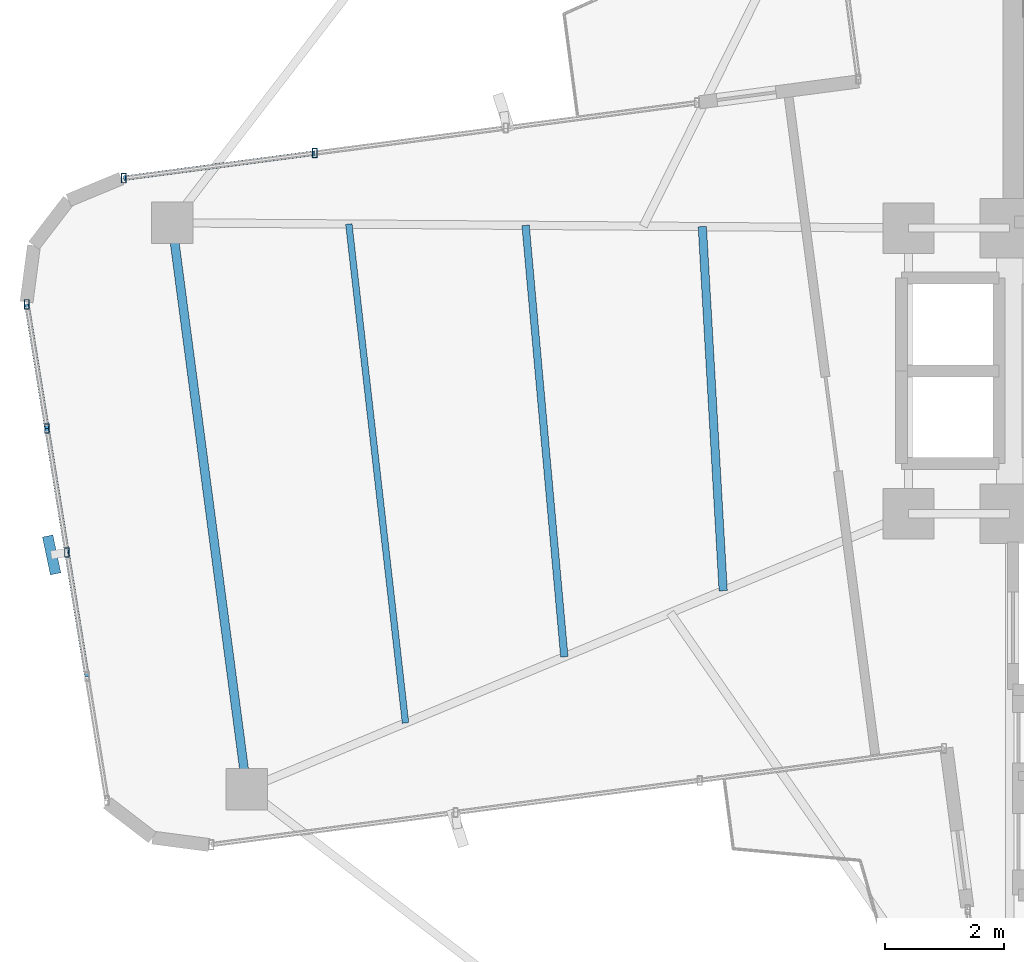
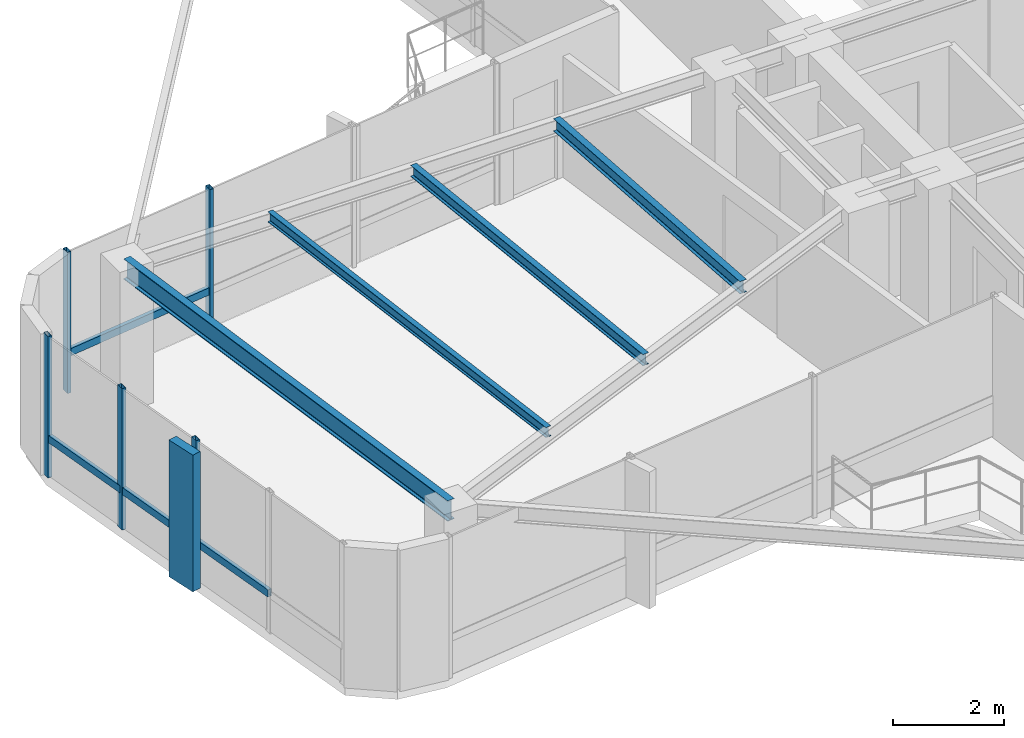
# One storey, part 6 of 21: 10 members, 4 beams, 2 elements without a shape of their own.
"""IFC4 building model written with IfcOpenShell, lengths in metres."""

from ifc_helpers import new_model, si_unit, direction, frame, origin, origin_2d, place, context, subcontext, project, spatial, rectangle, hollow_rectangle, i_section, extrude, source, transform, mapped, material, material_profile, profile_set, type_object, element, aggregate, save


model = new_model("IFC4")

# Units and contexts
model_context = context("Model", 3, precision=1e-05, world=origin(), true_north=direction((0.0, 1.0)))
body_context = subcontext(model_context, "Body", "Model", "MODEL_VIEW")
ifc_project = project(units=[si_unit("LENGTHUNIT", "METRE"), si_unit("AREAUNIT", "SQUARE_METRE"), si_unit("VOLUMEUNIT", "CUBIC_METRE"), si_unit("PLANEANGLEUNIT", "RADIAN"), si_unit("MASSUNIT", "GRAM", prefix="KILO")], contexts=[model_context])

# Site, building, storey
site_placement = place(None, origin())
site = spatial("IfcSite", under=ifc_project, at=site_placement, CompositionType="ELEMENT")
building_placement = place(site_placement, origin())
building = spatial("IfcBuilding", under=site, at=building_placement, Name="Sahyath Konkavel Grand Hotel", CompositionType="ELEMENT")
storey_placement = place(building_placement, frame((0.0, 0.0, 213.199951171875)))
storey = spatial("IfcBuildingStorey", under=building, at=storey_placement, Name="L59", CompositionType="ELEMENT", Elevation=213.199951171875)

# Beams
ifc_material_1 = material(Name="Steel E350", Category="steel")
ifc_material_profile_1 = material_profile(ifc_material_1, i_section(OverallWidth=0.14990234375, OverallDepth=0.449951171875, WebThickness=0.009521484375, FlangeThickness=0.017333984375, FilletRadius=0.014892578125, at=origin_2d()), Name="ISMB 450")
ifc_profile_set_1 = profile_set([ifc_material_profile_1], Name="Steel E350")
beam_type_1 = type_object("IfcBeamType", Name="BM-ISMB450", PredefinedType="BEAM", material=ifc_profile_set_1)
shared_shape_1 = source(origin(), body_context, "Body", "SweptSolid", [
    extrude(i_section(OverallWidth=0.14990234375, OverallDepth=0.449951171875, WebThickness=0.009521484375, FlangeThickness=0.017333984375, FilletRadius=0.014892578125, at=origin_2d()), origin(), (0.0, 0.0, 1.0), 9.599853515625),
])
beam_1_placement = place(storey_placement, frame((-17.877685546875, 2.48779296875, 2.885009765625), z_axis=(0.130539375757, -0.991443125639, 0.0), x_axis=(0.991443125639, 0.130539375757, 0.0)))
element("IfcBeam", 1, at=beam_1_placement, inside=storey, type_object=beam_type_1, Name="L59 Wing Tip Edge Beam W", PredefinedType="BEAM", context=body_context, shape_type="MappedRepresentation", body=[
    mapped(shared_shape_1, transform((0.0, 0.0, 0.0), scale=1.0)),
])
ifc_material_profile_2 = material_profile(ifc_material_1, i_section(OverallWidth=0.139892578125, OverallDepth=0.27490234375, WebThickness=0.00634765625, FlangeThickness=0.0087890625, FilletRadius=0.012939453125, at=origin_2d()), Name="ISLB 275")
ifc_profile_set_2 = profile_set([ifc_material_profile_2], Name="Steel E350")
beam_type_2 = type_object("IfcBeamType", Name="BM-ISLB275", PredefinedType="BEAM", material=ifc_profile_set_2)
shared_shape_2 = source(origin(), body_context, "Body", "SweptSolid", [
    extrude(i_section(OverallWidth=0.139892578125, OverallDepth=0.27490234375, WebThickness=0.00634765625, FlangeThickness=0.0087890625, FilletRadius=0.012939453125, at=origin_2d()), origin(), (0.0, 0.0, 1.0), 6.130859375),
])
beam_2_placement = place(storey_placement, frame((-8.9658203125, 2.424560546875, 2.97265625), z_axis=(0.057223299361, -0.998361404508, 0.0), x_axis=(0.998361404508, 0.057223299361, 0.0)))
element("IfcBeam", 2, at=beam_2_placement, inside=storey, type_object=beam_type_2, Name="L59 Secondary Floor Beam W-1", PredefinedType="BEAM", context=body_context, shape_type="MappedRepresentation", body=[
    mapped(shared_shape_2, transform((0.0, 0.0, 0.0), scale=1.0)),
])
ifc_material_profile_3 = material_profile(ifc_material_1, i_section(OverallWidth=0.125, OverallDepth=0.25, WebThickness=0.0068359375, FlangeThickness=0.012451171875, FilletRadius=0.012939453125, at=origin_2d()), Name="ISMB 250")
ifc_profile_set_3 = profile_set([ifc_material_profile_3], Name="Steel E350")
beam_type_3 = type_object("IfcBeamType", Name="BM-ISMB250", PredefinedType="BEAM", material=ifc_profile_set_3)
shared_shape_3 = source(origin(), body_context, "Body", "SweptSolid", [
    extrude(i_section(OverallWidth=0.125, OverallDepth=0.25, WebThickness=0.0068359375, FlangeThickness=0.012451171875, FilletRadius=0.012939453125, at=origin_2d()), origin(), (0.0, 0.0, 1.0), 7.28271484375),
])
beam_3_placement = place(storey_placement, frame((-11.936279296875, 2.44580078125, 2.985107421875), z_axis=(0.08944149657, -0.995992077625, 0.0), x_axis=(0.995992077625, 0.08944149657, 0.0)))
element("IfcBeam", 3, at=beam_3_placement, inside=storey, type_object=beam_type_3, Name="L59 Secondary Floor Beam W-2", PredefinedType="BEAM", context=body_context, shape_type="MappedRepresentation", body=[
    mapped(shared_shape_3, transform((0.0, 0.0, 0.0), scale=1.0)),
])
ifc_material_profile_4 = material_profile(ifc_material_1, i_section(OverallWidth=0.110107421875, OverallDepth=0.22509765625, WebThickness=0.006591796875, FlangeThickness=0.01171875, FilletRadius=0.011962890625, at=origin_2d()), Name="ISMB 225")
ifc_profile_set_4 = profile_set([ifc_material_profile_4], Name="Steel E350")
beam_type_4 = type_object("IfcBeamType", Name="BM-ISMB225", PredefinedType="BEAM", material=ifc_profile_set_4)
shared_shape_4 = source(origin(), body_context, "Body", "SweptSolid", [
    extrude(i_section(OverallWidth=0.110107421875, OverallDepth=0.22509765625, WebThickness=0.006591796875, FlangeThickness=0.01171875, FilletRadius=0.011962890625, at=origin_2d()), origin(), (0.0, 0.0, 1.0), 8.439697265625),
])
beam_4_placement = place(storey_placement, frame((-14.906982421875, 2.466796875, 2.99755859375), z_axis=(0.112847377236, -0.993612333584, 0.0), x_axis=(0.993612333584, 0.112847377236, 0.0)))
element("IfcBeam", 4, at=beam_4_placement, inside=storey, type_object=beam_type_4, Name="L59 Secondary Floor Beam W-3", PredefinedType="BEAM", context=body_context, shape_type="MappedRepresentation", body=[
    mapped(shared_shape_4, transform((0.0, 0.0, 0.0), scale=1.0)),
])

# Curtain wall, member
ifc_material_2 = material(Name="Anodised Bronze Aluminium & Low-E Glazing", Category="aluminium")
curtain_wall_type = type_object("IfcCurtainWallType", Name="CW-ZONE4", PredefinedType="NOTDEFINED", material=ifc_material_2)
curtain_wall_1_placement = place(storey_placement, origin())
curtain_wall_1 = element("IfcCurtainWall", 5, at=curtain_wall_1_placement, inside=storey, type_object=curtain_wall_type, Name="L59 Unitised Curtain Wall F20", PredefinedType="NOTDEFINED")
ifc_material_3 = material(Name="Warm Buff Sandstone Cladding on Concrete C50/60", Category="masonry")
ifc_material_profile_5 = material_profile(ifc_material_3, rectangle(XDim=0.179931640625, YDim=0.64990234375, at=origin_2d()), Name="FIN 180x650")
ifc_profile_set_5 = profile_set([ifc_material_profile_5], Name="Warm Buff Sandstone Cladding on Concrete C50/60")
member_type_1 = type_object("IfcMemberType", Name="FIN-SANDSTONE-650", PredefinedType="MULLION", material=ifc_profile_set_5)
shared_shape_5 = source(origin(), body_context, "Body", "SweptSolid", [
    extrude(rectangle(XDim=0.179931640625, YDim=0.64990234375, at=origin_2d()), origin(), (0.0, 0.0, 1.0), 3.010009765625),
])
member_1_placement = place(storey_placement, frame((-19.90234375, -3.09423828125, 0.050048828125), z_axis=(0.0, 0.0, 1.0), x_axis=(0.978508985102, 0.206204185397, 0.0)))
member_1 = element("IfcMember", 6, at=member_1_placement, type_object=member_type_1, Name="L59 Sandstone Vertical Solar Fin FIN F20-2", PredefinedType="MULLION", context=body_context, shape_type="MappedRepresentation", body=[
    mapped(shared_shape_5, transform((0.0, 0.0, 0.0), scale=1.0)),
])

# Curtain wall, members
curtain_wall_2_placement = place(storey_placement, origin())
curtain_wall_2 = element("IfcCurtainWall", 7, at=curtain_wall_2_placement, inside=storey, type_object=curtain_wall_type, Name="L59 Unitised Curtain Wall F16", PredefinedType="NOTDEFINED")
ifc_material_4 = material(Name="Anodised Bronze Aluminium", Category="aluminium")
ifc_material_profile_6 = material_profile(ifc_material_4, hollow_rectangle(XDim=0.080078125, YDim=0.159912109375, WallThickness=0.006103515625, at=origin_2d()), Name="RHS 160x80x6")
ifc_profile_set_6 = profile_set([ifc_material_profile_6], Name="Anodised Bronze Aluminium")
member_type_2 = type_object("IfcMemberType", Name="CW-MUL-160", PredefinedType="MULLION", material=ifc_profile_set_6)
shared_shape_6 = source(origin(), body_context, "Body", "SweptSolid", [
    extrude(hollow_rectangle(XDim=0.080078125, YDim=0.159912109375, WallThickness=0.006103515625, at=origin_2d()), origin(), (0.0, 0.0, 1.0), 3.110107421875),
])
member_2_placement = place(storey_placement, frame((-15.480224609375, 3.66064453125, 0.0), z_axis=(0.0, 0.0, 1.0), x_axis=(1.0, 0.0, 0.0)))
member_2 = element("IfcMember", 8, at=member_2_placement, type_object=member_type_2, Name="L59 Curtain Wall Mullion F16-2", PredefinedType="MULLION", context=body_context, shape_type="MappedRepresentation", body=[
    mapped(shared_shape_6, transform((0.0, 0.0, 0.0), scale=1.0)),
])
member_3_placement = place(storey_placement, frame((-18.6923828125, 3.23779296875, 0.0), z_axis=(0.0, 0.0, 1.0), x_axis=(1.0, 0.0, 0.0)))
member_3 = element("IfcMember", 9, at=member_3_placement, type_object=member_type_2, Name="L59 Curtain Wall Mullion F16-3", PredefinedType="MULLION", context=body_context, shape_type="MappedRepresentation", body=[
    mapped(shared_shape_6, transform((0.0, 0.0, 0.0), scale=1.0)),
])

# Member
member_4_placement = place(storey_placement, frame((-20.318603515625, 1.117431640625, 0.0), z_axis=(0.0, 0.0, 1.0), x_axis=(1.0, 0.0, 0.0)))
member_4 = element("IfcMember", 10, at=member_4_placement, type_object=member_type_2, Name="L59 Curtain Wall Mullion F20-0", PredefinedType="MULLION", context=body_context, shape_type="MappedRepresentation", body=[
    mapped(shared_shape_6, transform((0.0, 0.0, 0.0), scale=1.0)),
])

member_5_placement = place(storey_placement, frame((-19.982177734375, -0.9677734375, 0.0), z_axis=(0.0, 0.0, 1.0), x_axis=(1.0, 0.0, 0.0)))
member_5 = element("IfcMember", 11, at=member_5_placement, type_object=member_type_2, Name="L59 Curtain Wall Mullion F20-1", PredefinedType="MULLION", context=body_context, shape_type="MappedRepresentation", body=[
    mapped(shared_shape_6, transform((0.0, 0.0, 0.0), scale=1.0)),
])

member_6_placement = place(storey_placement, frame((-19.6455078125, -3.052734375, 0.0), z_axis=(0.0, 0.0, 1.0), x_axis=(1.0, 0.0, 0.0)))
member_6 = element("IfcMember", 12, at=member_6_placement, type_object=member_type_2, Name="L59 Curtain Wall Mullion F20-2", PredefinedType="MULLION", context=body_context, shape_type="MappedRepresentation", body=[
    mapped(shared_shape_6, transform((0.0, 0.0, 0.0), scale=1.0)),
])

ifc_material_profile_7 = material_profile(ifc_material_4, hollow_rectangle(XDim=0.080078125, YDim=0.159912109375, WallThickness=0.006103515625, at=origin_2d()), Name="RHS 160x80x6")
ifc_profile_set_7 = profile_set([ifc_material_profile_7], Name="Anodised Bronze Aluminium")
member_type_3 = type_object("IfcMemberType", Name="CW-TRN-160", PredefinedType="USERDEFINED", material=ifc_profile_set_7)
shared_shape_7 = source(origin(), body_context, "Body", "SweptSolid", [
    extrude(hollow_rectangle(XDim=0.080078125, YDim=0.159912109375, WallThickness=0.006103515625, at=origin_2d()), origin(), (0.0, 0.0, 1.0), 3.239990234375),
])
member_7_placement = place(storey_placement, frame((-15.480224609375, 3.66064453125, 0.85009765625), z_axis=(-0.991446342692, -0.130514939997, 0.0), x_axis=(0.130514939997, -0.991446342692, 0.0)))
member_7 = element("IfcMember", 13, at=member_7_placement, type_object=member_type_3, Name="L59 Curtain Wall Transom F16-2-spandrel", ObjectType="TRANSOM", PredefinedType="USERDEFINED", context=body_context, shape_type="MappedRepresentation", body=[
    mapped(shared_shape_7, transform((0.0, 0.0, 0.0), scale=1.0)),
])

aggregate(curtain_wall_2, [member_2, member_3, member_7])

shared_shape_8 = source(origin(), body_context, "Body", "SweptSolid", [
    extrude(hollow_rectangle(XDim=0.080078125, YDim=0.159912109375, WallThickness=0.006103515625, at=origin_2d()), origin(), (0.0, 0.0, 1.0), 2.112060546875),
])
member_8_placement = place(storey_placement, frame((-20.318603515625, 1.117431640625, 0.85009765625), z_axis=(0.159279681841, -0.987233499712, 0.0), x_axis=(0.987233499712, 0.159279681841, 0.0)))
member_8 = element("IfcMember", 14, at=member_8_placement, type_object=member_type_3, Name="L59 Curtain Wall Transom F20-0-spandrel", ObjectType="TRANSOM", PredefinedType="USERDEFINED", context=body_context, shape_type="MappedRepresentation", body=[
    mapped(shared_shape_8, transform((0.0, 0.0, 0.0), scale=1.0)),
])

member_9_placement = place(storey_placement, frame((-19.982177734375, -0.9677734375, 0.85009765625), z_axis=(0.159410523793, -0.98721238085, 0.0), x_axis=(0.98721238085, 0.159410523793, 0.0)))
member_9 = element("IfcMember", 15, at=member_9_placement, type_object=member_type_3, Name="L59 Curtain Wall Transom F20-1-spandrel", ObjectType="TRANSOM", PredefinedType="USERDEFINED", context=body_context, shape_type="MappedRepresentation", body=[
    mapped(shared_shape_8, transform((0.0, 0.0, 0.0), scale=1.0)),
])

member_10_placement = place(storey_placement, frame((-19.6455078125, -3.052734375, 0.85009765625), z_axis=(0.159279681841, -0.987233499712, 0.0), x_axis=(0.987233499712, 0.159279681841, 0.0)))
member_10 = element("IfcMember", 16, at=member_10_placement, type_object=member_type_3, Name="L59 Curtain Wall Transom F20-2-spandrel", ObjectType="TRANSOM", PredefinedType="USERDEFINED", context=body_context, shape_type="MappedRepresentation", body=[
    mapped(shared_shape_8, transform((0.0, 0.0, 0.0), scale=1.0)),
])

aggregate(curtain_wall_1, [member_4, member_5, member_6, member_1, member_8, member_9, member_10])

save(model, "model.ifc")
